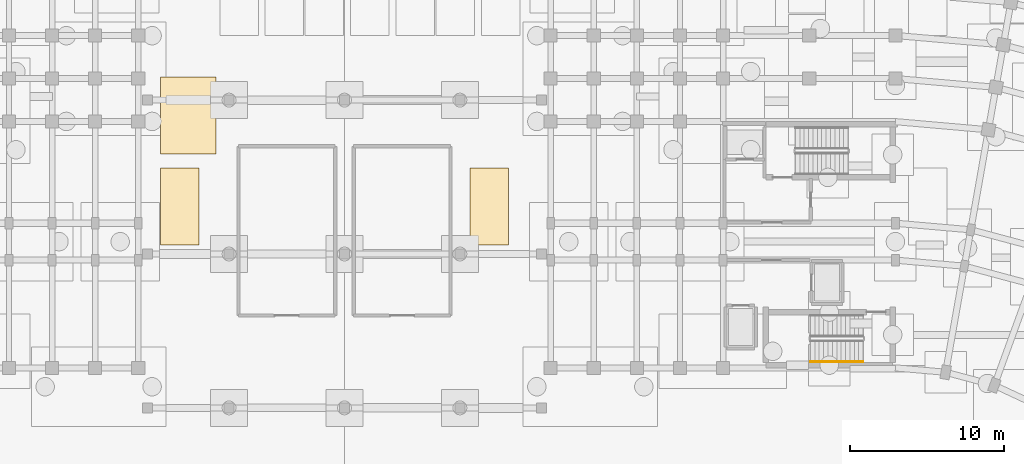
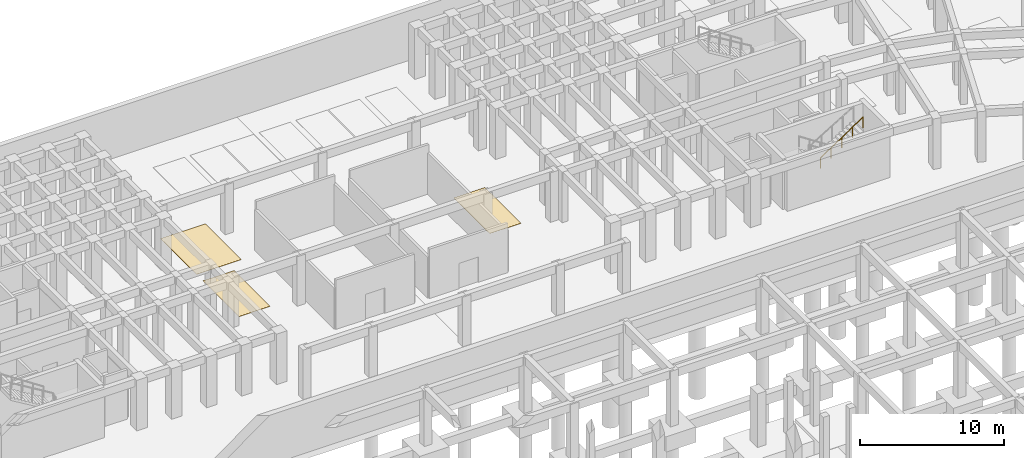
# One storey, part 47 of 53: 3 coverings, 1 railing.
"""IFC4 building model written with IfcOpenShell, lengths in metres."""

from ifc_helpers import new_model, si_unit, direction, frame, origin, origin_2d, place, context, subcontext, project, spatial, polyline, circle, outline, extrude, material, layer, layer_set, type_object, element, save


model = new_model("IFC4")

# Units and contexts
model_context = context("Model", 3, precision=1e-05, world=origin(), true_north=direction((0.0, 1.0)))
body_context = subcontext(model_context, "Body", "Model", "MODEL_VIEW")
ifc_project = project(units=[si_unit("LENGTHUNIT", "METRE"), si_unit("AREAUNIT", "SQUARE_METRE"), si_unit("VOLUMEUNIT", "CUBIC_METRE"), si_unit("PLANEANGLEUNIT", "RADIAN"), si_unit("MASSUNIT", "GRAM", prefix="KILO")], contexts=[model_context])

# Site, building, storey
site_placement = place(None, origin())
site = spatial("IfcSite", under=ifc_project, at=site_placement, CompositionType="ELEMENT")
building_placement = place(site_placement, origin())
building = spatial("IfcBuilding", under=site, at=building_placement, Name="Kiranvali Square Residences", CompositionType="ELEMENT")
storey_placement = place(building_placement, frame((0.0, 0.0, -4.5)))
storey = spatial("IfcBuildingStorey", under=building, at=storey_placement, Name="B1", CompositionType="ELEMENT", Elevation=-4.5)

# Coverings
ifc_material_1 = material(Name="Polished terrazzo and anti-slip vitrified floor finish", Category="stone")
ifc_layer_1 = layer(ifc_material_1, 0.014892578125)
ifc_layer_set_1 = layer_set([ifc_layer_1], Name="Polished terrazzo and anti-slip vitrified floor finish")
covering_type_1 = type_object("IfcCoveringType", Name="COV-BAY-ACC", PredefinedType="FLOORING", material=ifc_layer_set_1)
covering_1_placement = place(storey_placement, origin())
element("IfcCovering", 1, at=covering_1_placement, inside=storey, type_object=covering_type_1, Name="Accessible Parking Bay ACC-12", PredefinedType="FLOORING", context=body_context, shape_type="SweptSolid", body=[
    extrude(outline(polyline([(72.050048828125, 120.5), (75.64990234375, 120.5), (75.64990234375, 125.5), (72.050048828125, 125.5), (72.050048828125, 120.5)])), origin(), (0.0, 0.0, 1.0), 0.014892578125),
])
ifc_layer_2 = layer(ifc_material_1, 0.014892578125)
ifc_layer_set_2 = layer_set([ifc_layer_2], Name="Polished terrazzo and anti-slip vitrified floor finish")
covering_type_2 = type_object("IfcCoveringType", Name="COV-BAY-STD", PredefinedType="FLOORING", material=ifc_layer_set_2)
covering_2_placement = place(storey_placement, origin())
element("IfcCovering", 2, at=covering_2_placement, inside=storey, type_object=covering_type_2, Name="Standard Car Parking Bay P-012", PredefinedType="FLOORING", context=body_context, shape_type="SweptSolid", body=[
    extrude(outline(polyline([(72.050048828125, 114.60009765625), (74.550048828125, 114.60009765625), (74.550048828125, 119.60009765625), (72.050048828125, 119.60009765625), (72.050048828125, 114.60009765625)])), origin(), (0.0, 0.0, 1.0), 0.014892578125),
])
covering_3_placement = place(storey_placement, origin())
element("IfcCovering", 3, at=covering_3_placement, inside=storey, type_object=covering_type_2, Name="Standard Car Parking Bay P-013", PredefinedType="FLOORING", context=body_context, shape_type="SweptSolid", body=[
    extrude(outline(polyline([(92.14990234375, 114.60009765625), (94.64990234375, 114.60009765625), (94.64990234375, 119.60009765625), (92.14990234375, 119.60009765625), (92.14990234375, 114.60009765625)])), origin(), (0.0, 0.0, 1.0), 0.014892578125),
])

# Railing
ifc_material_2 = material(Name="Brushed stainless steel tubular handrail", Category="steel")
railing_type = type_object("IfcRailingType", Name="RL-HANDRAIL-900", PredefinedType="HANDRAIL", material=ifc_material_2)
railing_placement = place(storey_placement, frame((114.280029296875, 107.0, 2.423095703125)))
element("IfcRailing", 4, at=railing_placement, inside=storey, type_object=railing_type, Name="B1 ST-B2 stair handrail 2", PredefinedType="HANDRAIL", context=body_context, shape_type="SweptSolid", body=[
    extrude(circle(Radius=0.02392578125, at=origin_2d()), frame((0.0, 0.0, 0.8759765625), z_axis=(0.835411317272, 0.0, 0.549625264133), x_axis=(0.0, 1.0, 0.0)), (0.0, 0.0, 1.0), 4.09375),
    extrude(circle(Radius=0.02099609375, at=origin_2d()), origin(), (0.0, 0.0, 1.0), 0.851806640625),
    extrude(circle(Radius=0.02099609375, at=origin_2d()), frame((0.85498046875, 0.0, 0.5625)), (0.0, 0.0, 1.0), 0.851806640625),
    extrude(circle(Radius=0.02099609375, at=origin_2d()), frame((1.7099609375, 0.0, 1.125)), (0.0, 0.0, 1.0), 0.851806640625),
    extrude(circle(Radius=0.02099609375, at=origin_2d()), frame((2.56494140625, 0.0, 1.6875)), (0.0, 0.0, 1.0), 0.851806640625),
    extrude(circle(Radius=0.02099609375, at=origin_2d()), frame((3.419921875, 0.0, 2.25)), (0.0, 0.0, 1.0), 0.851806640625),
])

save(model, "model.ifc")
